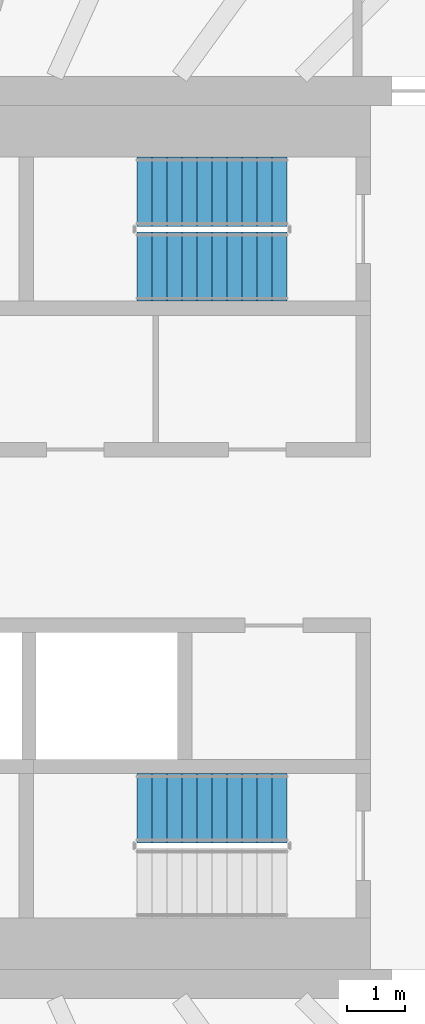
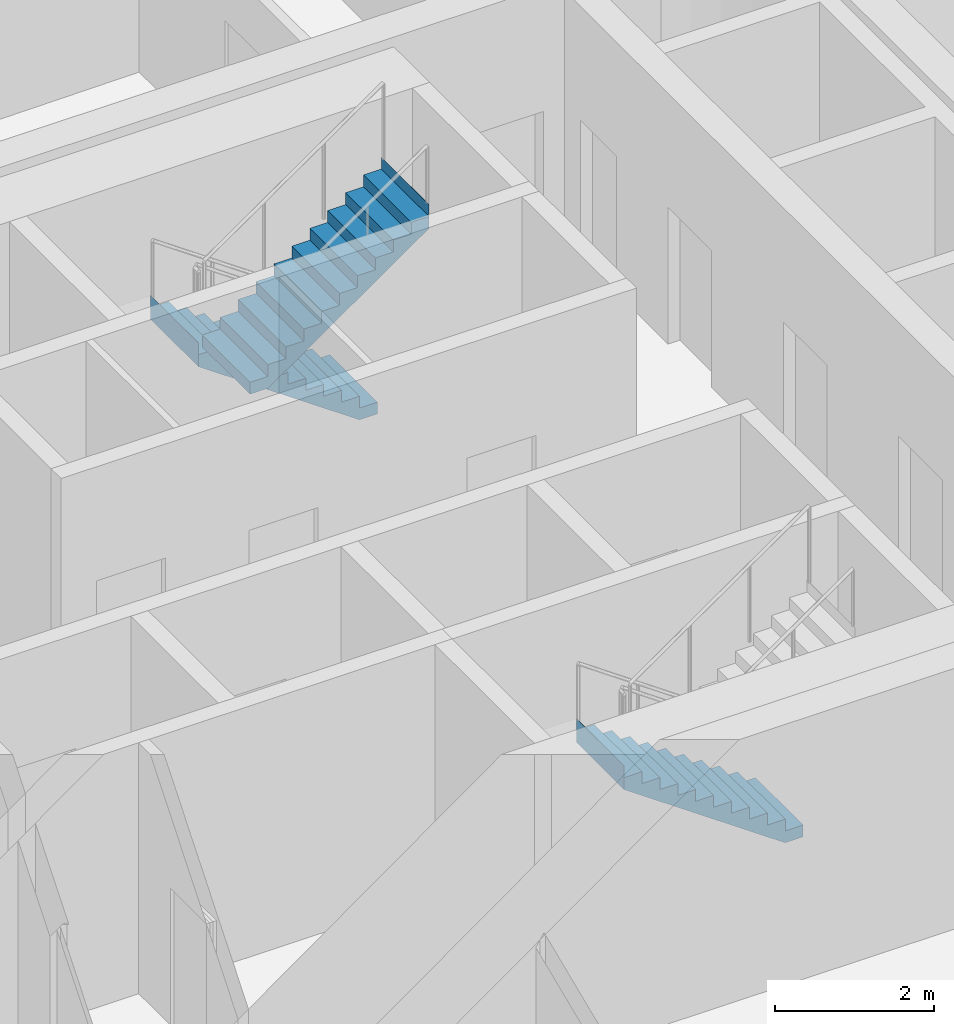
# One storey, part 17 of 23: 3 stair flights, 2 elements without a shape of their own.
"""IFC4 building model written with IfcOpenShell, lengths in metres."""

from ifc_helpers import new_model, si_unit, direction, frame, origin, place, context, subcontext, project, spatial, triangles, material, type_object, element, aggregate, save


model = new_model("IFC4")

# Units and contexts
model_context = context("Model", 3, precision=1e-05, world=origin(), true_north=direction((0.0, 1.0)))
body_context = subcontext(model_context, "Body", "Model", "MODEL_VIEW")
ifc_project = project(units=[si_unit("LENGTHUNIT", "METRE"), si_unit("AREAUNIT", "SQUARE_METRE"), si_unit("VOLUMEUNIT", "CUBIC_METRE"), si_unit("PLANEANGLEUNIT", "RADIAN"), si_unit("MASSUNIT", "GRAM", prefix="KILO")], contexts=[model_context])

# Site, building, storey
site_placement = place(None, origin())
site = spatial("IfcSite", under=ifc_project, at=site_placement, CompositionType="ELEMENT")
building_placement = place(site_placement, origin())
building = spatial("IfcBuilding", under=site, at=building_placement, Name="Sahrelin Media Tower", CompositionType="ELEMENT")
storey_placement = place(building_placement, frame((0.0, 0.0, 157.60009765625)))
storey = spatial("IfcBuildingStorey", under=building, at=storey_placement, Name="L32", CompositionType="ELEMENT", Elevation=157.60009765625)

# Stair, stair flights
ifc_material = material(Name="Concrete C40/50", Category="concrete")
stair_type = type_object("IfcStairType", Name="Exit stair 1200", PredefinedType="HALF_TURN_STAIR", material=ifc_material)
placement = place(storey_placement, origin())
stair_1 = element("IfcStair", 1, at=placement, inside=storey, type_object=stair_type, Name="L32 Exit stair ST3", PredefinedType="HALF_TURN_STAIR")
stair_flight_type = type_object("IfcStairFlightType", Name="Stair flight 1200", PredefinedType="STRAIGHT", material=ifc_material)
stair_flight_1_placement = place(storey_placement, frame((7.675048828125, 6.0, 0.0), z_axis=(0.0, 0.0, 1.0), x_axis=(-1.0, 0.0, 0.0)))
stair_flight_1 = element("IfcStairFlight", 2, at=stair_flight_1_placement, type_object=stair_flight_type, Name="ST3 flight 1", NumberOfRisers=11, NumberOfTreads=10, PredefinedType="STRAIGHT", RiserHeight=0.181818182, TreadLength=0.26, context=body_context, shape_type="Tessellation", body=[
    triangles([(0.261474609375, 0.60009765625, 0.0), (0.261474609375, 0.300048828125, 0.0), (0.261474609375, 0.0, 0.0), (0.261474609375, -0.300048828125, 0.0), (0.261474609375, -0.60009765625, 0.0), (2.60009765625, 0.60009765625, 1.63525390625), (2.60009765625, 0.300048828125, 1.63525390625), (2.60009765625, 0.0, 1.63525390625), (2.60009765625, -0.300048828125, 1.63525390625), (2.60009765625, -0.60009765625, 1.63525390625), (2.60009765625, 0.60009765625, 2.0), (2.60009765625, 0.300048828125, 2.0), (2.60009765625, 0.0, 2.0), (2.60009765625, -0.300048828125, 2.0), (2.60009765625, -0.60009765625, 2.0), (2.597900390625, 0.60009765625, 2.0), (2.597900390625, 0.300048828125, 2.0), (2.597900390625, 0.0, 2.0), (2.597900390625, -0.300048828125, 2.0), (2.597900390625, -0.60009765625, 2.0), (2.597900390625, 0.60009765625, 1.818115234375), (2.597900390625, 0.300048828125, 1.818115234375), (2.597900390625, 0.0, 1.818115234375), (2.597900390625, -0.300048828125, 1.818115234375), (2.597900390625, -0.60009765625, 1.818115234375), (2.340087890625, 0.60009765625, 1.818115234375), (2.340087890625, 0.300048828125, 1.818115234375), (2.340087890625, 0.0, 1.818115234375), (2.340087890625, -0.300048828125, 1.818115234375), (2.340087890625, -0.60009765625, 1.818115234375), (2.340087890625, 0.60009765625, 1.636474609375), (2.340087890625, 0.300048828125, 1.636474609375), (2.340087890625, 0.0, 1.636474609375), (2.340087890625, -0.300048828125, 1.636474609375), (2.340087890625, -0.60009765625, 1.636474609375), (2.080078125, 0.60009765625, 1.636474609375), (2.080078125, 0.300048828125, 1.636474609375), (2.080078125, 0.0, 1.636474609375), (2.080078125, -0.300048828125, 1.636474609375), (2.080078125, -0.60009765625, 1.636474609375), (2.080078125, 0.60009765625, 1.45458984375), (2.080078125, 0.300048828125, 1.45458984375), (2.080078125, 0.0, 1.45458984375), (2.080078125, -0.300048828125, 1.45458984375), (2.080078125, -0.60009765625, 1.45458984375), (1.820068359375, 0.60009765625, 1.45458984375), (1.820068359375, 0.300048828125, 1.45458984375), (1.820068359375, 0.0, 1.45458984375), (1.820068359375, -0.300048828125, 1.45458984375), (1.820068359375, -0.60009765625, 1.45458984375), (1.820068359375, 0.60009765625, 1.272705078125), (1.820068359375, 0.300048828125, 1.272705078125), (1.820068359375, 0.0, 1.272705078125), (1.820068359375, -0.300048828125, 1.272705078125), (1.820068359375, -0.60009765625, 1.272705078125), (1.56005859375, 0.60009765625, 1.272705078125), (1.56005859375, 0.300048828125, 1.272705078125), (1.56005859375, 0.0, 1.272705078125), (1.56005859375, -0.300048828125, 1.272705078125), (1.56005859375, -0.60009765625, 1.272705078125), (1.56005859375, 0.60009765625, 1.0908203125), (1.56005859375, 0.300048828125, 1.0908203125), (1.56005859375, 0.0, 1.0908203125), (1.56005859375, -0.300048828125, 1.0908203125), (1.56005859375, -0.60009765625, 1.0908203125), (1.300048828125, 0.60009765625, 1.0908203125), (1.300048828125, 0.300048828125, 1.0908203125), (1.300048828125, 0.0, 1.0908203125), (1.300048828125, -0.300048828125, 1.0908203125), (1.300048828125, -0.60009765625, 1.0908203125), (1.300048828125, 0.60009765625, 0.9091796875), (1.300048828125, 0.300048828125, 0.9091796875), (1.300048828125, 0.0, 0.9091796875), (1.300048828125, -0.300048828125, 0.9091796875), (1.300048828125, -0.60009765625, 0.9091796875), (1.0400390625, 0.60009765625, 0.9091796875), (1.0400390625, 0.300048828125, 0.9091796875), (1.0400390625, 0.0, 0.9091796875), (1.0400390625, -0.300048828125, 0.9091796875), (1.0400390625, -0.60009765625, 0.9091796875), (1.0400390625, 0.60009765625, 0.727294921875), (1.0400390625, 0.300048828125, 0.727294921875), (1.0400390625, 0.0, 0.727294921875), (1.0400390625, -0.300048828125, 0.727294921875), (1.0400390625, -0.60009765625, 0.727294921875), (0.780029296875, 0.60009765625, 0.727294921875), (0.780029296875, 0.300048828125, 0.727294921875), (0.780029296875, 0.0, 0.727294921875), (0.780029296875, -0.300048828125, 0.727294921875), (0.780029296875, -0.60009765625, 0.727294921875), (0.780029296875, 0.60009765625, 0.54541015625), (0.780029296875, 0.300048828125, 0.54541015625), (0.780029296875, 0.0, 0.54541015625), (0.780029296875, -0.300048828125, 0.54541015625), (0.780029296875, -0.60009765625, 0.54541015625), (0.52001953125, 0.60009765625, 0.54541015625), (0.52001953125, 0.300048828125, 0.54541015625), (0.52001953125, 0.0, 0.54541015625), (0.52001953125, -0.300048828125, 0.54541015625), (0.52001953125, -0.60009765625, 0.54541015625), (0.52001953125, 0.60009765625, 0.363525390625), (0.52001953125, 0.300048828125, 0.363525390625), (0.52001953125, 0.0, 0.363525390625), (0.52001953125, -0.300048828125, 0.363525390625), (0.52001953125, -0.60009765625, 0.363525390625), (0.260009765625, 0.60009765625, 0.363525390625), (0.260009765625, 0.300048828125, 0.363525390625), (0.260009765625, 0.0, 0.363525390625), (0.260009765625, -0.300048828125, 0.363525390625), (0.260009765625, -0.60009765625, 0.363525390625), (0.260009765625, 0.60009765625, 0.181884765625), (0.260009765625, 0.300048828125, 0.181884765625), (0.260009765625, 0.0, 0.181884765625), (0.260009765625, -0.300048828125, 0.181884765625), (0.260009765625, -0.60009765625, 0.181884765625), (0.0, 0.60009765625, 0.181884765625), (0.0, 0.300048828125, 0.181884765625), (0.0, 0.0, 0.181884765625), (0.0, -0.300048828125, 0.181884765625), (0.0, -0.60009765625, 0.181884765625), (0.0, 0.60009765625, 0.0), (0.0, 0.300048828125, 0.0), (0.0, 0.0, 0.0), (0.0, -0.300048828125, 0.0), (0.0, -0.60009765625, 0.0)], [[1, 6, 7], [1, 7, 2], [2, 7, 8], [2, 8, 3], [3, 8, 9], [3, 9, 4], [4, 9, 10], [4, 10, 5], [6, 11, 12], [6, 12, 7], [7, 12, 13], [7, 13, 8], [8, 13, 14], [8, 14, 9], [9, 14, 15], [9, 15, 10], [11, 16, 17], [11, 17, 12], [12, 17, 18], [12, 18, 13], [13, 18, 19], [13, 19, 14], [14, 19, 20], [14, 20, 15], [16, 21, 22], [16, 22, 17], [17, 22, 23], [17, 23, 18], [18, 23, 24], [18, 24, 19], [19, 24, 25], [19, 25, 20], [21, 26, 27], [21, 27, 22], [22, 27, 28], [22, 28, 23], [23, 28, 29], [23, 29, 24], [24, 29, 30], [24, 30, 25], [26, 31, 32], [26, 32, 27], [27, 32, 33], [27, 33, 28], [28, 33, 34], [28, 34, 29], [29, 34, 35], [29, 35, 30], [31, 36, 37], [31, 37, 32], [32, 37, 38], [32, 38, 33], [33, 38, 39], [33, 39, 34], [34, 39, 40], [34, 40, 35], [36, 41, 42], [36, 42, 37], [37, 42, 43], [37, 43, 38], [38, 43, 44], [38, 44, 39], [39, 44, 45], [39, 45, 40], [41, 46, 47], [41, 47, 42], [42, 47, 48], [42, 48, 43], [43, 48, 49], [43, 49, 44], [44, 49, 50], [44, 50, 45], [46, 51, 52], [46, 52, 47], [47, 52, 53], [47, 53, 48], [48, 53, 54], [48, 54, 49], [49, 54, 55], [49, 55, 50], [51, 56, 57], [51, 57, 52], [52, 57, 58], [52, 58, 53], [53, 58, 59], [53, 59, 54], [54, 59, 60], [54, 60, 55], [56, 61, 62], [56, 62, 57], [57, 62, 63], [57, 63, 58], [58, 63, 64], [58, 64, 59], [59, 64, 65], [59, 65, 60], [61, 66, 67], [61, 67, 62], [62, 67, 68], [62, 68, 63], [63, 68, 69], [63, 69, 64], [64, 69, 70], [64, 70, 65], [66, 71, 72], [66, 72, 67], [67, 72, 73], [67, 73, 68], [68, 73, 74], [68, 74, 69], [69, 74, 75], [69, 75, 70], [71, 76, 77], [71, 77, 72], [72, 77, 78], [72, 78, 73], [73, 78, 79], [73, 79, 74], [74, 79, 80], [74, 80, 75], [76, 81, 82], [76, 82, 77], [77, 82, 83], [77, 83, 78], [78, 83, 84], [78, 84, 79], [79, 84, 85], [79, 85, 80], [81, 86, 87], [81, 87, 82], [82, 87, 88], [82, 88, 83], [83, 88, 89], [83, 89, 84], [84, 89, 90], [84, 90, 85], [86, 91, 92], [86, 92, 87], [87, 92, 93], [87, 93, 88], [88, 93, 94], [88, 94, 89], [89, 94, 95], [89, 95, 90], [91, 96, 97], [91, 97, 92], [92, 97, 98], [92, 98, 93], [93, 98, 99], [93, 99, 94], [94, 99, 100], [94, 100, 95], [96, 101, 102], [96, 102, 97], [97, 102, 103], [97, 103, 98], [98, 103, 104], [98, 104, 99], [99, 104, 105], [99, 105, 100], [101, 106, 107], [101, 107, 102], [102, 107, 108], [102, 108, 103], [103, 108, 109], [103, 109, 104], [104, 109, 110], [104, 110, 105], [106, 111, 112], [106, 112, 107], [107, 112, 113], [107, 113, 108], [108, 113, 114], [108, 114, 109], [109, 114, 115], [109, 115, 110], [111, 116, 117], [111, 117, 112], [112, 117, 118], [112, 118, 113], [113, 118, 119], [113, 119, 114], [114, 119, 120], [114, 120, 115], [116, 121, 122], [116, 122, 117], [117, 122, 123], [117, 123, 118], [118, 123, 124], [118, 124, 119], [119, 124, 125], [119, 125, 120], [121, 1, 2], [121, 2, 122], [122, 2, 3], [122, 3, 123], [123, 3, 4], [123, 4, 124], [124, 4, 5], [124, 5, 125], [115, 120, 125], [111, 121, 116], [115, 105, 110], [111, 106, 101], [105, 95, 100], [101, 96, 91], [95, 85, 90], [91, 86, 81], [85, 75, 80], [81, 76, 71], [75, 65, 70], [71, 66, 61], [65, 55, 60], [61, 56, 51], [55, 45, 50], [51, 46, 41], [45, 35, 40], [41, 36, 31], [35, 25, 30], [31, 26, 21], [25, 15, 20], [21, 16, 11], [125, 5, 115], [121, 111, 1], [25, 10, 15], [21, 11, 6], [105, 115, 5], [101, 1, 111], [35, 10, 25], [31, 21, 6], [95, 105, 5], [91, 1, 101], [45, 10, 35], [41, 31, 6], [85, 95, 5], [81, 1, 91], [55, 10, 45], [51, 41, 6], [75, 85, 5], [71, 1, 81], [65, 10, 55], [61, 51, 6], [5, 10, 75], [1, 71, 6], [75, 10, 65], [71, 61, 6]], closed=True),
])
stair_flight_2_placement = place(storey_placement, frame((5.074951171875, 4.699951171875, 2.0), z_axis=(0.0, 0.0, 1.0), x_axis=(1.0, 0.0, 0.0)))
stair_flight_2 = element("IfcStairFlight", 3, at=stair_flight_2_placement, type_object=stair_flight_type, Name="ST3 flight 2", NumberOfRisers=11, NumberOfTreads=10, PredefinedType="STRAIGHT", RiserHeight=0.181818182, TreadLength=0.26, context=body_context, shape_type="Tessellation", body=[
    triangles([(0.261474609375, 0.60009765625, 0.0), (0.261474609375, 0.300048828125, 0.0), (0.261474609375, 0.0, 0.0), (0.261474609375, -0.300048828125, 0.0), (0.261474609375, -0.60009765625, 0.0), (2.60009765625, 0.60009765625, 1.63525390625), (2.60009765625, 0.300048828125, 1.63525390625), (2.60009765625, 0.0, 1.63525390625), (2.60009765625, -0.300048828125, 1.63525390625), (2.60009765625, -0.60009765625, 1.63525390625), (2.60009765625, 0.60009765625, 2.0), (2.60009765625, 0.300048828125, 2.0), (2.60009765625, 0.0, 2.0), (2.60009765625, -0.300048828125, 2.0), (2.60009765625, -0.60009765625, 2.0), (2.597900390625, 0.60009765625, 2.0), (2.597900390625, 0.300048828125, 2.0), (2.597900390625, 0.0, 2.0), (2.597900390625, -0.300048828125, 2.0), (2.597900390625, -0.60009765625, 2.0), (2.597900390625, 0.60009765625, 1.818115234375), (2.597900390625, 0.300048828125, 1.818115234375), (2.597900390625, 0.0, 1.818115234375), (2.597900390625, -0.300048828125, 1.818115234375), (2.597900390625, -0.60009765625, 1.818115234375), (2.340087890625, 0.60009765625, 1.818115234375), (2.340087890625, 0.300048828125, 1.818115234375), (2.340087890625, 0.0, 1.818115234375), (2.340087890625, -0.300048828125, 1.818115234375), (2.340087890625, -0.60009765625, 1.818115234375), (2.340087890625, 0.60009765625, 1.636474609375), (2.340087890625, 0.300048828125, 1.636474609375), (2.340087890625, 0.0, 1.636474609375), (2.340087890625, -0.300048828125, 1.636474609375), (2.340087890625, -0.60009765625, 1.636474609375), (2.080078125, 0.60009765625, 1.636474609375), (2.080078125, 0.300048828125, 1.636474609375), (2.080078125, 0.0, 1.636474609375), (2.080078125, -0.300048828125, 1.636474609375), (2.080078125, -0.60009765625, 1.636474609375), (2.080078125, 0.60009765625, 1.45458984375), (2.080078125, 0.300048828125, 1.45458984375), (2.080078125, 0.0, 1.45458984375), (2.080078125, -0.300048828125, 1.45458984375), (2.080078125, -0.60009765625, 1.45458984375), (1.820068359375, 0.60009765625, 1.45458984375), (1.820068359375, 0.300048828125, 1.45458984375), (1.820068359375, 0.0, 1.45458984375), (1.820068359375, -0.300048828125, 1.45458984375), (1.820068359375, -0.60009765625, 1.45458984375), (1.820068359375, 0.60009765625, 1.272705078125), (1.820068359375, 0.300048828125, 1.272705078125), (1.820068359375, 0.0, 1.272705078125), (1.820068359375, -0.300048828125, 1.272705078125), (1.820068359375, -0.60009765625, 1.272705078125), (1.56005859375, 0.60009765625, 1.272705078125), (1.56005859375, 0.300048828125, 1.272705078125), (1.56005859375, 0.0, 1.272705078125), (1.56005859375, -0.300048828125, 1.272705078125), (1.56005859375, -0.60009765625, 1.272705078125), (1.56005859375, 0.60009765625, 1.0908203125), (1.56005859375, 0.300048828125, 1.0908203125), (1.56005859375, 0.0, 1.0908203125), (1.56005859375, -0.300048828125, 1.0908203125), (1.56005859375, -0.60009765625, 1.0908203125), (1.300048828125, 0.60009765625, 1.0908203125), (1.300048828125, 0.300048828125, 1.0908203125), (1.300048828125, 0.0, 1.0908203125), (1.300048828125, -0.300048828125, 1.0908203125), (1.300048828125, -0.60009765625, 1.0908203125), (1.300048828125, 0.60009765625, 0.9091796875), (1.300048828125, 0.300048828125, 0.9091796875), (1.300048828125, 0.0, 0.9091796875), (1.300048828125, -0.300048828125, 0.9091796875), (1.300048828125, -0.60009765625, 0.9091796875), (1.0400390625, 0.60009765625, 0.9091796875), (1.0400390625, 0.300048828125, 0.9091796875), (1.0400390625, 0.0, 0.9091796875), (1.0400390625, -0.300048828125, 0.9091796875), (1.0400390625, -0.60009765625, 0.9091796875), (1.0400390625, 0.60009765625, 0.727294921875), (1.0400390625, 0.300048828125, 0.727294921875), (1.0400390625, 0.0, 0.727294921875), (1.0400390625, -0.300048828125, 0.727294921875), (1.0400390625, -0.60009765625, 0.727294921875), (0.780029296875, 0.60009765625, 0.727294921875), (0.780029296875, 0.300048828125, 0.727294921875), (0.780029296875, 0.0, 0.727294921875), (0.780029296875, -0.300048828125, 0.727294921875), (0.780029296875, -0.60009765625, 0.727294921875), (0.780029296875, 0.60009765625, 0.54541015625), (0.780029296875, 0.300048828125, 0.54541015625), (0.780029296875, 0.0, 0.54541015625), (0.780029296875, -0.300048828125, 0.54541015625), (0.780029296875, -0.60009765625, 0.54541015625), (0.52001953125, 0.60009765625, 0.54541015625), (0.52001953125, 0.300048828125, 0.54541015625), (0.52001953125, 0.0, 0.54541015625), (0.52001953125, -0.300048828125, 0.54541015625), (0.52001953125, -0.60009765625, 0.54541015625), (0.52001953125, 0.60009765625, 0.363525390625), (0.52001953125, 0.300048828125, 0.363525390625), (0.52001953125, 0.0, 0.363525390625), (0.52001953125, -0.300048828125, 0.363525390625), (0.52001953125, -0.60009765625, 0.363525390625), (0.260009765625, 0.60009765625, 0.363525390625), (0.260009765625, 0.300048828125, 0.363525390625), (0.260009765625, 0.0, 0.363525390625), (0.260009765625, -0.300048828125, 0.363525390625), (0.260009765625, -0.60009765625, 0.363525390625), (0.260009765625, 0.60009765625, 0.181884765625), (0.260009765625, 0.300048828125, 0.181884765625), (0.260009765625, 0.0, 0.181884765625), (0.260009765625, -0.300048828125, 0.181884765625), (0.260009765625, -0.60009765625, 0.181884765625), (0.0, 0.60009765625, 0.181884765625), (0.0, 0.300048828125, 0.181884765625), (0.0, 0.0, 0.181884765625), (0.0, -0.300048828125, 0.181884765625), (0.0, -0.60009765625, 0.181884765625), (0.0, 0.60009765625, 0.0), (0.0, 0.300048828125, 0.0), (0.0, 0.0, 0.0), (0.0, -0.300048828125, 0.0), (0.0, -0.60009765625, 0.0)], [[1, 6, 7], [1, 7, 2], [2, 7, 8], [2, 8, 3], [3, 8, 9], [3, 9, 4], [4, 9, 10], [4, 10, 5], [6, 11, 12], [6, 12, 7], [7, 12, 13], [7, 13, 8], [8, 13, 14], [8, 14, 9], [9, 14, 15], [9, 15, 10], [11, 16, 17], [11, 17, 12], [12, 17, 18], [12, 18, 13], [13, 18, 19], [13, 19, 14], [14, 19, 20], [14, 20, 15], [16, 21, 22], [16, 22, 17], [17, 22, 23], [17, 23, 18], [18, 23, 24], [18, 24, 19], [19, 24, 25], [19, 25, 20], [21, 26, 27], [21, 27, 22], [22, 27, 28], [22, 28, 23], [23, 28, 29], [23, 29, 24], [24, 29, 30], [24, 30, 25], [26, 31, 32], [26, 32, 27], [27, 32, 33], [27, 33, 28], [28, 33, 34], [28, 34, 29], [29, 34, 35], [29, 35, 30], [31, 36, 37], [31, 37, 32], [32, 37, 38], [32, 38, 33], [33, 38, 39], [33, 39, 34], [34, 39, 40], [34, 40, 35], [36, 41, 42], [36, 42, 37], [37, 42, 43], [37, 43, 38], [38, 43, 44], [38, 44, 39], [39, 44, 45], [39, 45, 40], [41, 46, 47], [41, 47, 42], [42, 47, 48], [42, 48, 43], [43, 48, 49], [43, 49, 44], [44, 49, 50], [44, 50, 45], [46, 51, 52], [46, 52, 47], [47, 52, 53], [47, 53, 48], [48, 53, 54], [48, 54, 49], [49, 54, 55], [49, 55, 50], [51, 56, 57], [51, 57, 52], [52, 57, 58], [52, 58, 53], [53, 58, 59], [53, 59, 54], [54, 59, 60], [54, 60, 55], [56, 61, 62], [56, 62, 57], [57, 62, 63], [57, 63, 58], [58, 63, 64], [58, 64, 59], [59, 64, 65], [59, 65, 60], [61, 66, 67], [61, 67, 62], [62, 67, 68], [62, 68, 63], [63, 68, 69], [63, 69, 64], [64, 69, 70], [64, 70, 65], [66, 71, 72], [66, 72, 67], [67, 72, 73], [67, 73, 68], [68, 73, 74], [68, 74, 69], [69, 74, 75], [69, 75, 70], [71, 76, 77], [71, 77, 72], [72, 77, 78], [72, 78, 73], [73, 78, 79], [73, 79, 74], [74, 79, 80], [74, 80, 75], [76, 81, 82], [76, 82, 77], [77, 82, 83], [77, 83, 78], [78, 83, 84], [78, 84, 79], [79, 84, 85], [79, 85, 80], [81, 86, 87], [81, 87, 82], [82, 87, 88], [82, 88, 83], [83, 88, 89], [83, 89, 84], [84, 89, 90], [84, 90, 85], [86, 91, 92], [86, 92, 87], [87, 92, 93], [87, 93, 88], [88, 93, 94], [88, 94, 89], [89, 94, 95], [89, 95, 90], [91, 96, 97], [91, 97, 92], [92, 97, 98], [92, 98, 93], [93, 98, 99], [93, 99, 94], [94, 99, 100], [94, 100, 95], [96, 101, 102], [96, 102, 97], [97, 102, 103], [97, 103, 98], [98, 103, 104], [98, 104, 99], [99, 104, 105], [99, 105, 100], [101, 106, 107], [101, 107, 102], [102, 107, 108], [102, 108, 103], [103, 108, 109], [103, 109, 104], [104, 109, 110], [104, 110, 105], [106, 111, 112], [106, 112, 107], [107, 112, 113], [107, 113, 108], [108, 113, 114], [108, 114, 109], [109, 114, 115], [109, 115, 110], [111, 116, 117], [111, 117, 112], [112, 117, 118], [112, 118, 113], [113, 118, 119], [113, 119, 114], [114, 119, 120], [114, 120, 115], [116, 121, 122], [116, 122, 117], [117, 122, 123], [117, 123, 118], [118, 123, 124], [118, 124, 119], [119, 124, 125], [119, 125, 120], [121, 1, 2], [121, 2, 122], [122, 2, 3], [122, 3, 123], [123, 3, 4], [123, 4, 124], [124, 4, 5], [124, 5, 125], [115, 120, 125], [111, 121, 116], [115, 105, 110], [111, 106, 101], [105, 95, 100], [101, 96, 91], [95, 85, 90], [91, 86, 81], [85, 75, 80], [81, 76, 71], [75, 65, 70], [71, 66, 61], [65, 55, 60], [61, 56, 51], [55, 45, 50], [51, 46, 41], [45, 35, 40], [41, 36, 31], [35, 25, 30], [31, 26, 21], [25, 15, 20], [21, 16, 11], [125, 5, 115], [121, 111, 1], [25, 10, 15], [21, 11, 6], [105, 115, 5], [101, 1, 111], [35, 10, 25], [31, 21, 6], [95, 105, 5], [91, 1, 101], [45, 10, 35], [41, 31, 6], [85, 95, 5], [81, 1, 91], [55, 10, 45], [51, 41, 6], [75, 85, 5], [71, 1, 81], [65, 10, 55], [61, 51, 6], [5, 10, 75], [1, 71, 6], [75, 10, 65], [71, 61, 6]], closed=True),
])
aggregate(stair_1, [stair_flight_1, stair_flight_2])

# Stair, stair flight
stair_2 = element("IfcStair", 4, at=placement, inside=storey, type_object=stair_type, Name="L32 Exit stair ST2", PredefinedType="HALF_TURN_STAIR")
stair_flight_3_placement = place(storey_placement, frame((7.675048828125, -4.699951171875, 0.0), z_axis=(0.0, 0.0, 1.0), x_axis=(-1.0, 0.0, 0.0)))
stair_flight_3 = element("IfcStairFlight", 5, at=stair_flight_3_placement, type_object=stair_flight_type, Name="ST2 flight 1", NumberOfRisers=11, NumberOfTreads=10, PredefinedType="STRAIGHT", RiserHeight=0.181818182, TreadLength=0.26, context=body_context, shape_type="Tessellation", body=[
    triangles([(0.261474609375, 0.60009765625, 0.0), (0.261474609375, 0.300048828125, 0.0), (0.261474609375, 0.0, 0.0), (0.261474609375, -0.300048828125, 0.0), (0.261474609375, -0.60009765625, 0.0), (2.60009765625, 0.60009765625, 1.63525390625), (2.60009765625, 0.300048828125, 1.63525390625), (2.60009765625, 0.0, 1.63525390625), (2.60009765625, -0.300048828125, 1.63525390625), (2.60009765625, -0.60009765625, 1.63525390625), (2.60009765625, 0.60009765625, 2.0), (2.60009765625, 0.300048828125, 2.0), (2.60009765625, 0.0, 2.0), (2.60009765625, -0.300048828125, 2.0), (2.60009765625, -0.60009765625, 2.0), (2.597900390625, 0.60009765625, 2.0), (2.597900390625, 0.300048828125, 2.0), (2.597900390625, 0.0, 2.0), (2.597900390625, -0.300048828125, 2.0), (2.597900390625, -0.60009765625, 2.0), (2.597900390625, 0.60009765625, 1.818115234375), (2.597900390625, 0.300048828125, 1.818115234375), (2.597900390625, 0.0, 1.818115234375), (2.597900390625, -0.300048828125, 1.818115234375), (2.597900390625, -0.60009765625, 1.818115234375), (2.340087890625, 0.60009765625, 1.818115234375), (2.340087890625, 0.300048828125, 1.818115234375), (2.340087890625, 0.0, 1.818115234375), (2.340087890625, -0.300048828125, 1.818115234375), (2.340087890625, -0.60009765625, 1.818115234375), (2.340087890625, 0.60009765625, 1.636474609375), (2.340087890625, 0.300048828125, 1.636474609375), (2.340087890625, 0.0, 1.636474609375), (2.340087890625, -0.300048828125, 1.636474609375), (2.340087890625, -0.60009765625, 1.636474609375), (2.080078125, 0.60009765625, 1.636474609375), (2.080078125, 0.300048828125, 1.636474609375), (2.080078125, 0.0, 1.636474609375), (2.080078125, -0.300048828125, 1.636474609375), (2.080078125, -0.60009765625, 1.636474609375), (2.080078125, 0.60009765625, 1.45458984375), (2.080078125, 0.300048828125, 1.45458984375), (2.080078125, 0.0, 1.45458984375), (2.080078125, -0.300048828125, 1.45458984375), (2.080078125, -0.60009765625, 1.45458984375), (1.820068359375, 0.60009765625, 1.45458984375), (1.820068359375, 0.300048828125, 1.45458984375), (1.820068359375, 0.0, 1.45458984375), (1.820068359375, -0.300048828125, 1.45458984375), (1.820068359375, -0.60009765625, 1.45458984375), (1.820068359375, 0.60009765625, 1.272705078125), (1.820068359375, 0.300048828125, 1.272705078125), (1.820068359375, 0.0, 1.272705078125), (1.820068359375, -0.300048828125, 1.272705078125), (1.820068359375, -0.60009765625, 1.272705078125), (1.56005859375, 0.60009765625, 1.272705078125), (1.56005859375, 0.300048828125, 1.272705078125), (1.56005859375, 0.0, 1.272705078125), (1.56005859375, -0.300048828125, 1.272705078125), (1.56005859375, -0.60009765625, 1.272705078125), (1.56005859375, 0.60009765625, 1.0908203125), (1.56005859375, 0.300048828125, 1.0908203125), (1.56005859375, 0.0, 1.0908203125), (1.56005859375, -0.300048828125, 1.0908203125), (1.56005859375, -0.60009765625, 1.0908203125), (1.300048828125, 0.60009765625, 1.0908203125), (1.300048828125, 0.300048828125, 1.0908203125), (1.300048828125, 0.0, 1.0908203125), (1.300048828125, -0.300048828125, 1.0908203125), (1.300048828125, -0.60009765625, 1.0908203125), (1.300048828125, 0.60009765625, 0.9091796875), (1.300048828125, 0.300048828125, 0.9091796875), (1.300048828125, 0.0, 0.9091796875), (1.300048828125, -0.300048828125, 0.9091796875), (1.300048828125, -0.60009765625, 0.9091796875), (1.0400390625, 0.60009765625, 0.9091796875), (1.0400390625, 0.300048828125, 0.9091796875), (1.0400390625, 0.0, 0.9091796875), (1.0400390625, -0.300048828125, 0.9091796875), (1.0400390625, -0.60009765625, 0.9091796875), (1.0400390625, 0.60009765625, 0.727294921875), (1.0400390625, 0.300048828125, 0.727294921875), (1.0400390625, 0.0, 0.727294921875), (1.0400390625, -0.300048828125, 0.727294921875), (1.0400390625, -0.60009765625, 0.727294921875), (0.780029296875, 0.60009765625, 0.727294921875), (0.780029296875, 0.300048828125, 0.727294921875), (0.780029296875, 0.0, 0.727294921875), (0.780029296875, -0.300048828125, 0.727294921875), (0.780029296875, -0.60009765625, 0.727294921875), (0.780029296875, 0.60009765625, 0.54541015625), (0.780029296875, 0.300048828125, 0.54541015625), (0.780029296875, 0.0, 0.54541015625), (0.780029296875, -0.300048828125, 0.54541015625), (0.780029296875, -0.60009765625, 0.54541015625), (0.52001953125, 0.60009765625, 0.54541015625), (0.52001953125, 0.300048828125, 0.54541015625), (0.52001953125, 0.0, 0.54541015625), (0.52001953125, -0.300048828125, 0.54541015625), (0.52001953125, -0.60009765625, 0.54541015625), (0.52001953125, 0.60009765625, 0.363525390625), (0.52001953125, 0.300048828125, 0.363525390625), (0.52001953125, 0.0, 0.363525390625), (0.52001953125, -0.300048828125, 0.363525390625), (0.52001953125, -0.60009765625, 0.363525390625), (0.260009765625, 0.60009765625, 0.363525390625), (0.260009765625, 0.300048828125, 0.363525390625), (0.260009765625, 0.0, 0.363525390625), (0.260009765625, -0.300048828125, 0.363525390625), (0.260009765625, -0.60009765625, 0.363525390625), (0.260009765625, 0.60009765625, 0.181884765625), (0.260009765625, 0.300048828125, 0.181884765625), (0.260009765625, 0.0, 0.181884765625), (0.260009765625, -0.300048828125, 0.181884765625), (0.260009765625, -0.60009765625, 0.181884765625), (0.0, 0.60009765625, 0.181884765625), (0.0, 0.300048828125, 0.181884765625), (0.0, 0.0, 0.181884765625), (0.0, -0.300048828125, 0.181884765625), (0.0, -0.60009765625, 0.181884765625), (0.0, 0.60009765625, 0.0), (0.0, 0.300048828125, 0.0), (0.0, 0.0, 0.0), (0.0, -0.300048828125, 0.0), (0.0, -0.60009765625, 0.0)], [[1, 6, 7], [1, 7, 2], [2, 7, 8], [2, 8, 3], [3, 8, 9], [3, 9, 4], [4, 9, 10], [4, 10, 5], [6, 11, 12], [6, 12, 7], [7, 12, 13], [7, 13, 8], [8, 13, 14], [8, 14, 9], [9, 14, 15], [9, 15, 10], [11, 16, 17], [11, 17, 12], [12, 17, 18], [12, 18, 13], [13, 18, 19], [13, 19, 14], [14, 19, 20], [14, 20, 15], [16, 21, 22], [16, 22, 17], [17, 22, 23], [17, 23, 18], [18, 23, 24], [18, 24, 19], [19, 24, 25], [19, 25, 20], [21, 26, 27], [21, 27, 22], [22, 27, 28], [22, 28, 23], [23, 28, 29], [23, 29, 24], [24, 29, 30], [24, 30, 25], [26, 31, 32], [26, 32, 27], [27, 32, 33], [27, 33, 28], [28, 33, 34], [28, 34, 29], [29, 34, 35], [29, 35, 30], [31, 36, 37], [31, 37, 32], [32, 37, 38], [32, 38, 33], [33, 38, 39], [33, 39, 34], [34, 39, 40], [34, 40, 35], [36, 41, 42], [36, 42, 37], [37, 42, 43], [37, 43, 38], [38, 43, 44], [38, 44, 39], [39, 44, 45], [39, 45, 40], [41, 46, 47], [41, 47, 42], [42, 47, 48], [42, 48, 43], [43, 48, 49], [43, 49, 44], [44, 49, 50], [44, 50, 45], [46, 51, 52], [46, 52, 47], [47, 52, 53], [47, 53, 48], [48, 53, 54], [48, 54, 49], [49, 54, 55], [49, 55, 50], [51, 56, 57], [51, 57, 52], [52, 57, 58], [52, 58, 53], [53, 58, 59], [53, 59, 54], [54, 59, 60], [54, 60, 55], [56, 61, 62], [56, 62, 57], [57, 62, 63], [57, 63, 58], [58, 63, 64], [58, 64, 59], [59, 64, 65], [59, 65, 60], [61, 66, 67], [61, 67, 62], [62, 67, 68], [62, 68, 63], [63, 68, 69], [63, 69, 64], [64, 69, 70], [64, 70, 65], [66, 71, 72], [66, 72, 67], [67, 72, 73], [67, 73, 68], [68, 73, 74], [68, 74, 69], [69, 74, 75], [69, 75, 70], [71, 76, 77], [71, 77, 72], [72, 77, 78], [72, 78, 73], [73, 78, 79], [73, 79, 74], [74, 79, 80], [74, 80, 75], [76, 81, 82], [76, 82, 77], [77, 82, 83], [77, 83, 78], [78, 83, 84], [78, 84, 79], [79, 84, 85], [79, 85, 80], [81, 86, 87], [81, 87, 82], [82, 87, 88], [82, 88, 83], [83, 88, 89], [83, 89, 84], [84, 89, 90], [84, 90, 85], [86, 91, 92], [86, 92, 87], [87, 92, 93], [87, 93, 88], [88, 93, 94], [88, 94, 89], [89, 94, 95], [89, 95, 90], [91, 96, 97], [91, 97, 92], [92, 97, 98], [92, 98, 93], [93, 98, 99], [93, 99, 94], [94, 99, 100], [94, 100, 95], [96, 101, 102], [96, 102, 97], [97, 102, 103], [97, 103, 98], [98, 103, 104], [98, 104, 99], [99, 104, 105], [99, 105, 100], [101, 106, 107], [101, 107, 102], [102, 107, 108], [102, 108, 103], [103, 108, 109], [103, 109, 104], [104, 109, 110], [104, 110, 105], [106, 111, 112], [106, 112, 107], [107, 112, 113], [107, 113, 108], [108, 113, 114], [108, 114, 109], [109, 114, 115], [109, 115, 110], [111, 116, 117], [111, 117, 112], [112, 117, 118], [112, 118, 113], [113, 118, 119], [113, 119, 114], [114, 119, 120], [114, 120, 115], [116, 121, 122], [116, 122, 117], [117, 122, 123], [117, 123, 118], [118, 123, 124], [118, 124, 119], [119, 124, 125], [119, 125, 120], [121, 1, 2], [121, 2, 122], [122, 2, 3], [122, 3, 123], [123, 3, 4], [123, 4, 124], [124, 4, 5], [124, 5, 125], [115, 120, 125], [111, 121, 116], [115, 105, 110], [111, 106, 101], [105, 95, 100], [101, 96, 91], [95, 85, 90], [91, 86, 81], [85, 75, 80], [81, 76, 71], [75, 65, 70], [71, 66, 61], [65, 55, 60], [61, 56, 51], [55, 45, 50], [51, 46, 41], [45, 35, 40], [41, 36, 31], [35, 25, 30], [31, 26, 21], [25, 15, 20], [21, 16, 11], [125, 5, 115], [121, 111, 1], [25, 10, 15], [21, 11, 6], [105, 115, 5], [101, 1, 111], [35, 10, 25], [31, 21, 6], [95, 105, 5], [91, 1, 101], [45, 10, 35], [41, 31, 6], [85, 95, 5], [81, 1, 91], [55, 10, 45], [51, 41, 6], [75, 85, 5], [71, 1, 81], [65, 10, 55], [61, 51, 6], [5, 10, 75], [1, 71, 6], [75, 10, 65], [71, 61, 6]], closed=True),
])
aggregate(stair_2, [stair_flight_3])

save(model, "model.ifc")
